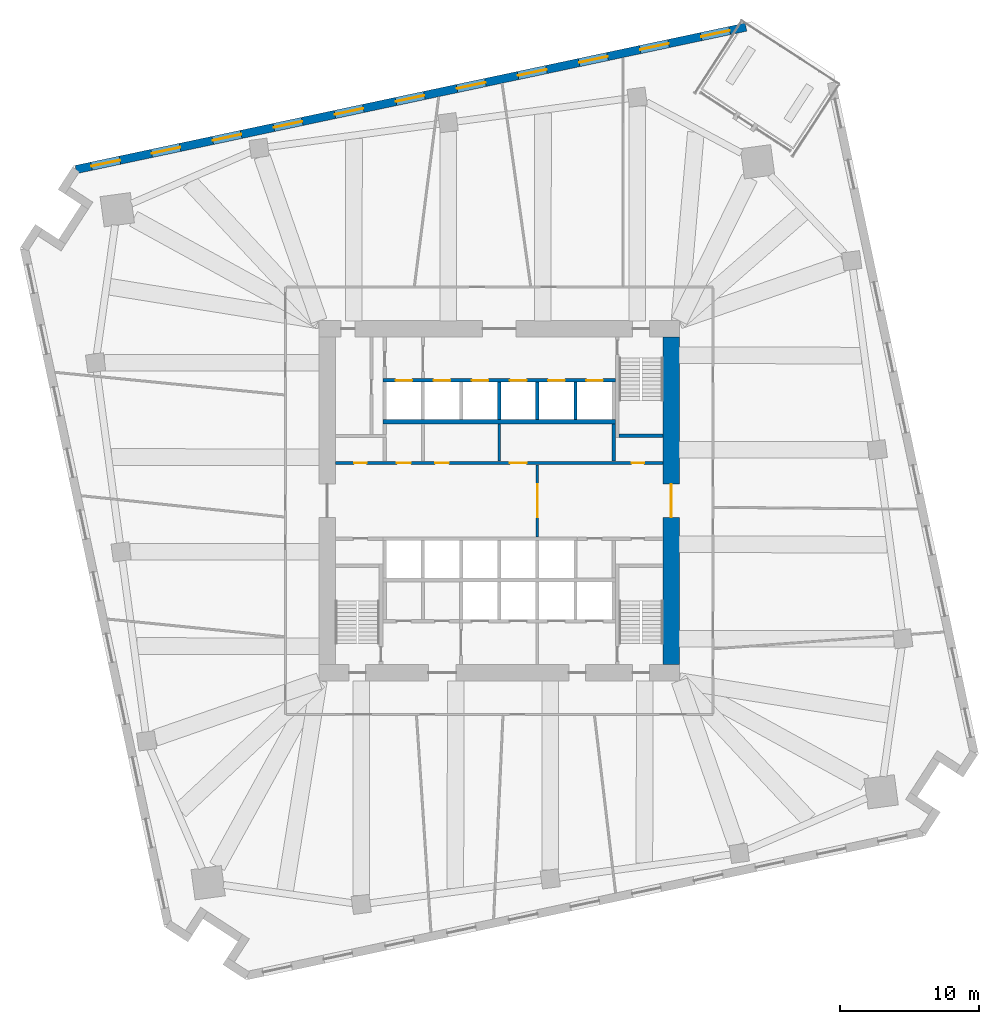
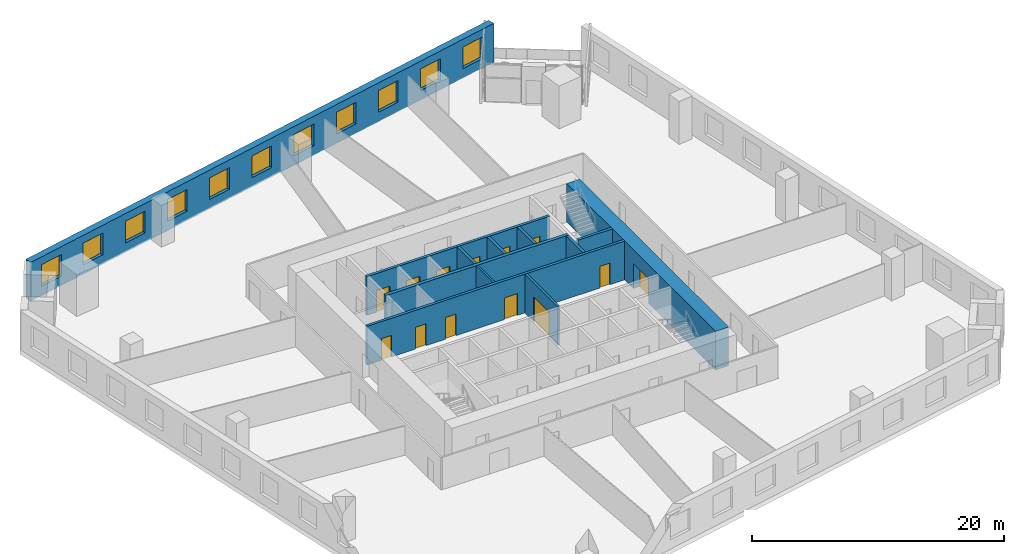
# One storey, part 6 of 10: 13 doors, 12 walls, 11 windows, 24 openings.
"""IFC4 building model written with IfcOpenShell, lengths in metres."""

import ifcopenshell
import ifcopenshell.guid

model = None  # the IFC model being written
_history = None  # IfcOwnerHistory: only IFC2X3 demands one
_inside = {}  # id of a spatial element -> (the spatial element, [elements in it])
_under = {}  # id of a project, library or spatial element -> (it, [spatial elements below it])
_declared = {}  # id of a project -> (the project, [libraries it declares])
_typed = {}  # id of a type object -> (the type object, [elements of that type])
_made_of = {}  # id of a material, layer set ... -> (it, [elements and type objects made of it])


def new_model(schema):
    """Start an empty IFC model of exactly this schema.

    Asked for "IFC4X3", IfcOpenShell would pick the latest addendum, in which some entities
    have other attributes; the version numbers below select the first issue.
    IFC2X3 requires an IfcOwnerHistory on every rooted entity: one is made here for all.
    """
    global model, _history
    if schema == "IFC4X3":
        model = ifcopenshell.file(schema_version=(4, 3, 0, 0))
    else:
        model = ifcopenshell.file(schema=schema)
    _inside.clear()
    _under.clear()
    _declared.clear()
    _typed.clear()
    _made_of.clear()
    _history = None
    if model.schema == "IFC2X3":
        org = make("IfcOrganization", Name="unknown")
        user = make(
            "IfcPersonAndOrganization",
            ThePerson=make("IfcPerson", FamilyName="unknown"),
            TheOrganization=org,
        )
        app = make(
            "IfcApplication",
            ApplicationDeveloper=org,
            Version="unknown",
            ApplicationFullName="unknown",
            ApplicationIdentifier="unknown",
        )
        _history = make(
            "IfcOwnerHistory",
            OwningUser=user,
            OwningApplication=app,
            ChangeAction="ADDED",
            CreationDate=0,
        )
    return model


def make(cls, **values):
    """One entity of the class cls with the attributes given. An attribute that is None is left unset."""
    return model.create_entity(
        cls, **{name: value for name, value in values.items() if value is not None}
    )


def rooted(cls, **values):
    """An entity with a GlobalId (a new one), such as an element, a storey or a relation."""
    return make(cls, GlobalId=ifcopenshell.guid.new(), OwnerHistory=_history, **values)


def si_unit(unit_type, name, prefix=None):
    """IfcSIUnit, for example si_unit("LENGTHUNIT", "METRE", prefix="MILLI")."""
    return make("IfcSIUnit", UnitType=unit_type, Prefix=prefix, Name=name)


def assignment(units):
    """IfcUnitAssignment: the units of a project."""
    return None if units is None else make("IfcUnitAssignment", Units=units)


def point(xyz):
    """IfcCartesianPoint."""
    return None if xyz is None else make("IfcCartesianPoint", Coordinates=xyz)


def direction(xyz):
    """IfcDirection."""
    return None if xyz is None else make("IfcDirection", DirectionRatios=xyz)


def frame(location, z_axis=None, x_axis=None):
    """IfcAxis2Placement3D, a coordinate frame: its origin and axes. An axis left out is left unset."""
    return make(
        "IfcAxis2Placement3D",
        Location=point(location),
        Axis=direction(z_axis),
        RefDirection=direction(x_axis),
    )


def frame_2d(location, x_axis=None):
    """IfcAxis2Placement2D, a coordinate frame in the plane: its origin and x axis."""
    return make(
        "IfcAxis2Placement2D", Location=point(location), RefDirection=direction(x_axis)
    )


def origin():
    """The frame at (0, 0, 0) with its axes left unset."""
    return frame((0.0, 0.0, 0.0))


def place(relative_to, where):
    """IfcLocalPlacement: puts the frame where relative to a parent placement (None: the world)."""
    return make(
        "IfcLocalPlacement", PlacementRelTo=relative_to, RelativePlacement=where
    )


def context(
    kind, dimensions, precision=None, world=None, true_north=None, identifier=None
):
    """IfcGeometricRepresentationContext, for example the 3D "Model" context."""
    return make(
        "IfcGeometricRepresentationContext",
        ContextIdentifier=identifier,
        ContextType=kind,
        CoordinateSpaceDimension=dimensions,
        Precision=precision,
        WorldCoordinateSystem=world,
        TrueNorth=true_north,
    )


def subcontext(parent, identifier, kind, view, scale=None):
    """IfcGeometricRepresentationSubContext, for example "Body" below "Model"."""
    return make(
        "IfcGeometricRepresentationSubContext",
        ContextIdentifier=identifier,
        ContextType=kind,
        ParentContext=parent,
        TargetScale=scale,
        TargetView=view,
    )


def project(units=None, contexts=None):
    """IfcProject with its units and contexts."""
    return rooted(
        "IfcProject",
        Name="project",
        RepresentationContexts=contexts,
        UnitsInContext=assignment(units),
    )


def spatial(cls, under=None, at=None, **own):
    """A site, building, storey or space (cls), placed at a placement, below another one or the project."""
    s = rooted(cls, ObjectPlacement=at, **own)
    if under is not None:
        _under.setdefault(under.id(), (under, []))[1].append(s)
    return s


def profile(cls, at=None, kind="AREA", **sizes):
    """A parametric profile (cls). Its sizes go by their IFC names, for example OverallWidth=200.0."""
    return make(cls, ProfileType=kind, Position=at, **sizes)


def rectangle(**sizes):
    """IfcRectangleProfileDef."""
    return profile("IfcRectangleProfileDef", **sizes)


def extrude(swept, where, along, depth):
    """IfcExtrudedAreaSolid: the profile swept, set in the frame where, extruded along a direction by depth."""
    return make(
        "IfcExtrudedAreaSolid",
        SweptArea=swept,
        Position=where,
        ExtrudedDirection=direction(along),
        Depth=depth,
    )


def shape(context_of_items, identifier, shape_type, items):
    """IfcShapeRepresentation: the items that make up one representation, for example the "Body"."""
    return make(
        "IfcShapeRepresentation",
        ContextOfItems=context_of_items,
        RepresentationIdentifier=identifier,
        RepresentationType=shape_type,
        Items=items,
    )


def material(Name=None, Category=None):
    """IfcMaterial."""
    return make("IfcMaterial", Name=Name, Category=Category)


def layer(
    of_material, thickness, ventilated=None, Name=None, Category=None, Priority=None
):
    """IfcMaterialLayer: one layer of a wall or slab, of a material (None: an air gap)."""
    return make(
        "IfcMaterialLayer",
        Material=of_material,
        LayerThickness=thickness,
        IsVentilated=ventilated,
        Name=Name,
        Category=Category,
        Priority=Priority,
    )


def layer_set(layers, Name=None):
    """IfcMaterialLayerSet."""
    return make("IfcMaterialLayerSet", MaterialLayers=layers, LayerSetName=Name)


def made_of(thing, what):
    """Note that an element or type object is made of a material, layer set ...; save() writes the relation."""
    if what is not None:
        _made_of.setdefault(what.id(), (what, []))[1].append(thing)
    return thing


def type_object(cls, material=None, **own):
    """A type object (cls), such as IfcWallType, which elements share."""
    return made_of(rooted(cls, **own), material)


def element(
    cls,
    number,
    at=None,
    inside=None,
    cuts=None,
    type_object=None,
    material=None,
    context=None,
    identifier="Body",
    shape_type=None,
    held_by="IfcProductDefinitionShape",
    body=None,
    shapes=None,
    **own,
):
    """One element of the class cls, such as IfcWall. Its Tag is "e" and its number.

    at: its placement. inside: the storey or other place that contains it. cuts: it is an
    opening in that element (IfcRelVoidsElement). A single representation is given by context,
    identifier, shape_type and body (its items); several are given by shapes. held_by: the class
    of the entity that holds the representations. save() writes the other relations.
    """
    e = rooted(cls, Tag="e%d" % number, ObjectPlacement=at, **own)
    if body is not None:
        shapes = [shape(context, identifier, shape_type, body)]
    if shapes is not None:
        e.Representation = make(held_by, Representations=shapes)
    if inside is not None:
        _inside.setdefault(inside.id(), (inside, []))[1].append(e)
    if cuts is not None:
        rooted(
            "IfcRelVoidsElement", RelatingBuildingElement=cuts, RelatedOpeningElement=e
        )
    if type_object is not None:
        _typed.setdefault(type_object.id(), (type_object, []))[1].append(e)
    return made_of(e, material)


def fill(opening, filler):
    """IfcRelFillsElement: the door or window that sits in an opening."""
    return rooted(
        "IfcRelFillsElement",
        RelatingOpeningElement=opening,
        RelatedBuildingElement=filler,
    )


def aggregate(whole, parts):
    """IfcRelAggregates: a whole, such as a stair, and the parts it consists of."""
    return rooted("IfcRelAggregates", RelatingObject=whole, RelatedObjects=parts)


def save(model, path):
    """Write the relations noted so far, then the file.

    IfcRelAggregates (storeys below a building ...), IfcRelContainedInSpatialStructure (elements
    in a storey), IfcRelDefinesByType, IfcRelAssociatesMaterial and IfcRelDeclares: one each for
    every whole, place, type object, material and project.
    """
    for whole, parts in _under.values():
        aggregate(whole, parts)
    for where, things in _inside.values():
        rooted(
            "IfcRelContainedInSpatialStructure",
            RelatedElements=things,
            RelatingStructure=where,
        )
    for kind, things in _typed.values():
        rooted("IfcRelDefinesByType", RelatedObjects=things, RelatingType=kind)
    for what, things in _made_of.values():
        rooted("IfcRelAssociatesMaterial", RelatedObjects=things, RelatingMaterial=what)
    for by, libraries in _declared.values():
        rooted("IfcRelDeclares", RelatingContext=by, RelatedDefinitions=libraries)
    model.write(path)


model = new_model("IFC4")

# Units and contexts
model_context = context("Model", 3, precision=1e-05, world=origin(), true_north=direction((0.0, 1.0)))
body_context = subcontext(model_context, "Body", "Model", "MODEL_VIEW")
ifc_project = project(units=[si_unit("LENGTHUNIT", "METRE"), si_unit("AREAUNIT", "SQUARE_METRE"), si_unit("VOLUMEUNIT", "CUBIC_METRE"), si_unit("PLANEANGLEUNIT", "RADIAN"), si_unit("MASSUNIT", "GRAM", prefix="KILO")], contexts=[model_context])

# Site, building, storey
site_placement = place(None, origin())
site = spatial("IfcSite", under=ifc_project, at=site_placement, CompositionType="ELEMENT")
building_placement = place(site_placement, origin())
building = spatial("IfcBuilding", under=site, at=building_placement, Name="Dilmun Exchange Tower", CompositionType="ELEMENT")
storey_placement = place(building_placement, frame((0.0, 0.0, 72.300048828125)))
storey = spatial("IfcBuildingStorey", under=building, at=storey_placement, Name="L16", CompositionType="ELEMENT", Elevation=72.300048828125)

# Wall, opening, door
ifc_material_1 = material(Name="Concrete C40/50", Category="concrete")
ifc_layer_1 = layer(ifc_material_1, 0.199951171875)
ifc_layer_set_1 = layer_set([ifc_layer_1], Name="Concrete C40/50")
wall_type_1 = type_object("IfcWallType", Name="Core partition wall 200", PredefinedType="PARTITIONING", material=ifc_layer_set_1)
wall_1_placement = place(storey_placement, frame((2.75, -2.594970703125, 0.0), z_axis=(0.0, 0.0, 1.0), x_axis=(0.0, 1.0, 0.0)))
wall_1 = element("IfcWall", 1, at=wall_1_placement, inside=storey, type_object=wall_type_1, Name="L16 core partition wall 09", PredefinedType="PARTITIONING", context=body_context, shape_type="SweptSolid", body=[
    extrude(rectangle(XDim=5.18994140625, YDim=0.199951171875, at=frame_2d((2.594970703125, 0.0))), origin(), (0.0, 0.0, 1.0), 3.75),
])
opening_1_placement = place(wall_1_placement, frame((1.39501953125, 0.0, 0.0)))
opening_1 = element("IfcOpeningElement", 2, at=opening_1_placement, cuts=wall_1, Name="Opening CD1", PredefinedType="OPENING", context=body_context, shape_type="SweptSolid", body=[
    extrude(rectangle(XDim=2.39990234375, YDim=2.39990234375, at=frame_2d((1.199951171875, 1.199951171875))), frame((0.0, 0.10986328125, 0.0), z_axis=(0.0, -1.0, 0.0), x_axis=(1.0, 0.0, 0.0)), (0.0, 0.0, 1.0), 0.219970703125),
])
ifc_material_2 = material(Name="Fire-rated steel door set", Category="steel")
door_type_1 = type_object("IfcDoorType", Name="Core lobby door 2400x2400", OperationType="DOUBLE_DOOR_DOUBLE_SWING", PredefinedType="DOOR", material=ifc_material_2)
door_1_placement = place(opening_1_placement, origin())
door_1 = element("IfcDoor", 3, at=door_1_placement, inside=storey, type_object=door_type_1, Name="L16 door Lift lobby east", OperationType="SINGLE_SWING_LEFT", OverallHeight=2.39990234375, OverallWidth=2.39990234375, PredefinedType="DOOR", context=body_context, shape_type="SweptSolid", body=[
    extrude(rectangle(XDim=2.39990234375, YDim=2.39990234375, at=frame_2d((1.199951171875, 1.199951171875))), frame((0.0, 0.02490234375, 0.0), z_axis=(0.0, -1.0, 0.0), x_axis=(1.0, 0.0, 0.0)), (0.0, 0.0, 1.0), 0.050048828125),
])
fill(opening_1, door_1)

# Wall
wall_2_placement = place(storey_placement, frame((0.0, 2.85498046875, 0.0), z_axis=(0.0, 0.0, 1.0), x_axis=(0.0, 1.0, 0.0)))
element("IfcWall", 4, at=wall_2_placement, inside=storey, type_object=wall_type_1, Name="L16 core partition wall 13", PredefinedType="PARTITIONING", context=body_context, shape_type="SweptSolid", body=[
    extrude(rectangle(XDim=2.68994140625, YDim=0.199951171875, at=frame_2d((1.344970703125, 0.0))), origin(), (0.0, 0.0, 1.0), 3.75),
])

# Wall, openings, doors
ifc_layer_2 = layer(ifc_material_1, 0.25)
ifc_layer_set_2 = layer_set([ifc_layer_2], Name="Concrete C40/50")
wall_type_2 = type_object("IfcWallType", Name="Core partition wall 250", PredefinedType="PARTITIONING", material=ifc_layer_set_2)
wall_3_placement = place(storey_placement, frame((-11.794921875, 2.72509765625, 0.0), z_axis=(0.0, 0.0, 1.0), x_axis=(1.0, 0.0, 0.0)))
wall_3 = element("IfcWall", 5, at=wall_3_placement, inside=storey, type_object=wall_type_2, Name="L16 core partition wall 10", PredefinedType="PARTITIONING", context=body_context, shape_type="SweptSolid", body=[
    extrude(rectangle(XDim=23.58984375, YDim=0.25, at=frame_2d((11.794921875, 0.0))), origin(), (0.0, 0.0, 1.0), 3.75),
])
opening_2_placement = place(wall_3_placement, frame((21.344970703125, 0.0, 0.0)))
opening_2 = element("IfcOpeningElement", 6, at=opening_2_placement, cuts=wall_3, Name="Opening CD6", PredefinedType="OPENING", context=body_context, shape_type="SweptSolid", body=[
    extrude(rectangle(XDim=0.89990234375, YDim=2.10009765625, at=frame_2d((0.449951171875, 1.050048828125))), frame((0.0, 0.135009765625, 0.0), z_axis=(0.0, -1.0, 0.0), x_axis=(1.0, 0.0, 0.0)), (0.0, 0.0, 1.0), 0.27001953125),
])
opening_3_placement = place(wall_3_placement, frame((1.344970703125, 0.0, 0.0)))
opening_3 = element("IfcOpeningElement", 7, at=opening_3_placement, cuts=wall_3, Name="Opening CD6", PredefinedType="OPENING", context=body_context, shape_type="SweptSolid", body=[
    extrude(rectangle(XDim=0.89990234375, YDim=2.10009765625, at=frame_2d((0.449951171875, 1.050048828125))), frame((0.0, 0.135009765625, 0.0), z_axis=(0.0, -1.0, 0.0), x_axis=(1.0, 0.0, 0.0)), (0.0, 0.0, 1.0), 0.27001953125),
])
opening_4_placement = place(wall_3_placement, frame((4.419921875, 0.0, 0.0)))
opening_4 = element("IfcOpeningElement", 8, at=opening_4_placement, cuts=wall_3, Name="Opening CD4", PredefinedType="OPENING", context=body_context, shape_type="SweptSolid", body=[
    extrude(rectangle(XDim=1.0, YDim=2.10009765625, at=frame_2d((0.5, 1.050048828125))), frame((0.0, 0.135009765625, 0.0), z_axis=(0.0, -1.0, 0.0), x_axis=(1.0, 0.0, 0.0)), (0.0, 0.0, 1.0), 0.27001953125),
])
opening_5_placement = place(wall_3_placement, frame((7.169921875, 0.0, 0.0)))
opening_5 = element("IfcOpeningElement", 9, at=opening_5_placement, cuts=wall_3, Name="Opening CD4", PredefinedType="OPENING", context=body_context, shape_type="SweptSolid", body=[
    extrude(rectangle(XDim=1.0, YDim=2.10009765625, at=frame_2d((0.5, 1.050048828125))), frame((0.0, 0.135009765625, 0.0), z_axis=(0.0, -1.0, 0.0), x_axis=(1.0, 0.0, 0.0)), (0.0, 0.0, 1.0), 0.27001953125),
])
opening_6_placement = place(wall_3_placement, frame((12.570068359375, 0.0, 0.0)))
opening_6 = element("IfcOpeningElement", 10, at=opening_6_placement, cuts=wall_3, Name="Opening CD3", PredefinedType="OPENING", context=body_context, shape_type="SweptSolid", body=[
    extrude(rectangle(XDim=1.199951171875, YDim=2.10009765625, at=frame_2d((0.60009765625, 1.050048828125))), frame((0.0, 0.135009765625, 0.0), z_axis=(0.0, -1.0, 0.0), x_axis=(1.0, 0.0, 0.0)), (0.0, 0.0, 1.0), 0.27001953125),
])
door_type_2 = type_object("IfcDoorType", Name="Core room door 1000x2100", OperationType="SINGLE_SWING_LEFT", PredefinedType="DOOR", material=ifc_material_2)
door_2_placement = place(opening_4_placement, origin())
door_2 = element("IfcDoor", 11, at=door_2_placement, inside=storey, type_object=door_type_2, Name="L16 door Security room", OperationType="SINGLE_SWING_LEFT", OverallHeight=2.10009765625, OverallWidth=1.0, PredefinedType="DOOR", context=body_context, shape_type="SweptSolid", body=[
    extrude(rectangle(XDim=1.0, YDim=2.10009765625, at=frame_2d((0.5, 1.050048828125))), frame((0.0, 0.02490234375, 0.0), z_axis=(0.0, -1.0, 0.0), x_axis=(1.0, 0.0, 0.0)), (0.0, 0.0, 1.0), 0.050048828125),
])
fill(opening_4, door_2)
door_3_placement = place(opening_5_placement, origin())
door_3 = element("IfcDoor", 12, at=door_3_placement, inside=storey, type_object=door_type_2, Name="L16 door Print and mail room", OperationType="SINGLE_SWING_LEFT", OverallHeight=2.10009765625, OverallWidth=1.0, PredefinedType="DOOR", context=body_context, shape_type="SweptSolid", body=[
    extrude(rectangle(XDim=1.0, YDim=2.10009765625, at=frame_2d((0.5, 1.050048828125))), frame((0.0, 0.02490234375, 0.0), z_axis=(0.0, -1.0, 0.0), x_axis=(1.0, 0.0, 0.0)), (0.0, 0.0, 1.0), 0.050048828125),
])
fill(opening_5, door_3)
door_type_3 = type_object("IfcDoorType", Name="Core room door 900x2100", OperationType="SINGLE_SWING_LEFT", PredefinedType="DOOR", material=ifc_material_2)
door_4_placement = place(opening_2_placement, origin())
door_4 = element("IfcDoor", 13, at=door_4_placement, inside=storey, type_object=door_type_3, Name="L16 door Electrical riser", OperationType="SINGLE_SWING_LEFT", OverallHeight=2.10009765625, OverallWidth=0.89990234375, PredefinedType="DOOR", context=body_context, shape_type="SweptSolid", body=[
    extrude(rectangle(XDim=0.89990234375, YDim=2.10009765625, at=frame_2d((0.449951171875, 1.050048828125))), frame((0.0, 0.02490234375, 0.0), z_axis=(0.0, -1.0, 0.0), x_axis=(1.0, 0.0, 0.0)), (0.0, 0.0, 1.0), 0.050048828125),
])
fill(opening_2, door_4)
door_5_placement = place(opening_3_placement, origin())
door_5 = element("IfcDoor", 14, at=door_5_placement, inside=storey, type_object=door_type_3, Name="L16 door Plumbing riser", OperationType="SINGLE_SWING_LEFT", OverallHeight=2.10009765625, OverallWidth=0.89990234375, PredefinedType="DOOR", context=body_context, shape_type="SweptSolid", body=[
    extrude(rectangle(XDim=0.89990234375, YDim=2.10009765625, at=frame_2d((0.449951171875, 1.050048828125))), frame((0.0, 0.02490234375, 0.0), z_axis=(0.0, -1.0, 0.0), x_axis=(1.0, 0.0, 0.0)), (0.0, 0.0, 1.0), 0.050048828125),
])
fill(opening_3, door_5)
door_type_4 = type_object("IfcDoorType", Name="Stair exit door 1200x2100", OperationType="SINGLE_SWING_LEFT", PredefinedType="DOOR", material=ifc_material_2)
door_6_placement = place(opening_6_placement, origin())
door_6 = element("IfcDoor", 15, at=door_6_placement, inside=storey, type_object=door_type_4, Name="L16 door Building management office", OperationType="SINGLE_SWING_LEFT", OverallHeight=2.10009765625, OverallWidth=1.199951171875, PredefinedType="DOOR", context=body_context, shape_type="SweptSolid", body=[
    extrude(rectangle(XDim=1.199951171875, YDim=2.10009765625, at=frame_2d((0.60009765625, 1.050048828125))), frame((0.0, 0.02490234375, 0.0), z_axis=(0.0, -1.0, 0.0), x_axis=(1.0, 0.0, 0.0)), (0.0, 0.0, 1.0), 0.050048828125),
])
fill(opening_6, door_6)

# Wall
wall_4_placement = place(storey_placement, frame((8.25, 2.85498046875, 0.0), z_axis=(0.0, 0.0, 1.0), x_axis=(0.0, 1.0, 0.0)))
element("IfcWall", 16, at=wall_4_placement, inside=storey, type_object=wall_type_2, Name="L16 core partition wall 14", PredefinedType="PARTITIONING", context=body_context, shape_type="SweptSolid", body=[
    extrude(rectangle(XDim=2.68994140625, YDim=0.25, at=frame_2d((1.344970703125, 0.0))), origin(), (0.0, 0.0, 1.0), 3.75),
])

# Wall, opening, door
ifc_material_3 = material(Name="Concrete C80/95", Category="concrete")
ifc_layer_3 = layer(ifc_material_3, 1.199951171875)
ifc_layer_set_3 = layer_set([ifc_layer_3], Name="Concrete C80/95")
wall_type_3 = type_object("IfcWallType", Name="Core shear wall 1200 Concrete C80/95", PredefinedType="SHEAR", material=ifc_layer_set_3)
wall_5_placement = place(storey_placement, frame((12.39990234375, -11.800048828125, 0.0), z_axis=(0.0, 0.0, 1.0), x_axis=(0.0, 1.0, 0.0)))
wall_5 = element("IfcWall", 17, at=wall_5_placement, inside=storey, type_object=wall_type_3, Name="L16 core shear wall E", PredefinedType="SHEAR", context=body_context, shape_type="SweptSolid", body=[
    extrude(rectangle(XDim=23.60009765625, YDim=1.199951171875, at=frame_2d((11.800048828125, 0.0))), origin(), (0.0, 0.0, 1.0), 3.75),
])
opening_7_placement = place(wall_5_placement, frame((10.60009765625, 0.0, 0.0)))
opening_7 = element("IfcOpeningElement", 18, at=opening_7_placement, cuts=wall_5, Name="Opening CD1", PredefinedType="OPENING", context=body_context, shape_type="SweptSolid", body=[
    extrude(rectangle(XDim=2.39990234375, YDim=2.39990234375, at=frame_2d((1.199951171875, 1.199951171875))), frame((0.0, 0.60986328125, 0.0), z_axis=(0.0, -1.0, 0.0), x_axis=(1.0, 0.0, 0.0)), (0.0, 0.0, 1.0), 1.219970703125),
])
door_7_placement = place(opening_7_placement, origin())
door_7 = element("IfcDoor", 19, at=door_7_placement, inside=storey, type_object=door_type_1, Name="L16 door Central lift lobby", OperationType="SINGLE_SWING_LEFT", OverallHeight=2.39990234375, OverallWidth=2.39990234375, PredefinedType="DOOR", context=body_context, shape_type="SweptSolid", body=[
    extrude(rectangle(XDim=2.39990234375, YDim=2.39990234375, at=frame_2d((1.199951171875, 1.199951171875))), frame((0.0, 0.02490234375, 0.0), z_axis=(0.0, -1.0, 0.0), x_axis=(1.0, 0.0, 0.0)), (0.0, 0.0, 1.0), 0.050048828125),
])
fill(opening_7, door_7)

# Wall
ifc_layer_4 = layer(ifc_material_1, 0.300048828125)
ifc_layer_set_4 = layer_set([ifc_layer_4], Name="Concrete C40/50")
wall_type_4 = type_object("IfcWallType", Name="Lift shaft shared wall 300", PredefinedType="SOLIDWALL", material=ifc_layer_set_4)
wall_6_placement = place(storey_placement, frame((-8.375, 5.699951171875, 0.0), z_axis=(0.0, 0.0, 1.0), x_axis=(1.0, 0.0, 0.0)))
element("IfcWall", 20, at=wall_6_placement, inside=storey, type_object=wall_type_4, Name="L16 lift shaft rear wall N", PredefinedType="SOLIDWALL", context=body_context, shape_type="SweptSolid", body=[
    extrude(rectangle(XDim=16.75, YDim=0.300048828125, at=frame_2d((8.375, 0.0))), origin(), (0.0, 0.0, 1.0), 3.75),
])

# Wall, openings, doors
ifc_layer_5 = layer(ifc_material_1, 0.25)
ifc_layer_set_5 = layer_set([ifc_layer_5], Name="Concrete C40/50")
wall_type_5 = type_object("IfcWallType", Name="Lift shaft wall 250", PredefinedType="SOLIDWALL", material=ifc_layer_set_5)
wall_7_placement = place(storey_placement, frame((-8.375, 8.675048828125, 0.0), z_axis=(0.0, 0.0, 1.0), x_axis=(1.0, 0.0, 0.0)))
wall_7 = element("IfcWall", 21, at=wall_7_placement, inside=storey, type_object=wall_type_5, Name="L16 lift shaft front wall N2", PredefinedType="SOLIDWALL", context=body_context, shape_type="SweptSolid", body=[
    extrude(rectangle(XDim=16.75, YDim=0.25, at=frame_2d((8.375, 0.0))), origin(), (0.0, 0.0, 1.0), 3.75),
])
opening_8_placement = place(wall_7_placement, frame((0.89990234375, 0.0, 0.0)))
opening_8 = element("IfcOpeningElement", 22, at=opening_8_placement, cuts=wall_7, Name="Opening LD", PredefinedType="OPENING", context=body_context, shape_type="SweptSolid", body=[
    extrude(rectangle(XDim=1.199951171875, YDim=2.10009765625, at=frame_2d((0.60009765625, 1.050048828125))), frame((0.0, 0.135009765625, 0.0), z_axis=(0.0, -1.0, 0.0), x_axis=(1.0, 0.0, 0.0)), (0.0, 0.0, 1.0), 0.27001953125),
])
opening_9_placement = place(wall_7_placement, frame((3.64990234375, 0.0, 0.0)))
opening_9 = element("IfcOpeningElement", 23, at=opening_9_placement, cuts=wall_7, Name="Opening LD", PredefinedType="OPENING", context=body_context, shape_type="SweptSolid", body=[
    extrude(rectangle(XDim=1.199951171875, YDim=2.10009765625, at=frame_2d((0.60009765625, 1.050048828125))), frame((0.0, 0.135009765625, 0.0), z_axis=(0.0, -1.0, 0.0), x_axis=(1.0, 0.0, 0.0)), (0.0, 0.0, 1.0), 0.27001953125),
])
opening_10_placement = place(wall_7_placement, frame((6.39990234375, 0.0, 0.0)))
opening_10 = element("IfcOpeningElement", 24, at=opening_10_placement, cuts=wall_7, Name="Opening LD", PredefinedType="OPENING", context=body_context, shape_type="SweptSolid", body=[
    extrude(rectangle(XDim=1.199951171875, YDim=2.10009765625, at=frame_2d((0.60009765625, 1.050048828125))), frame((0.0, 0.135009765625, 0.0), z_axis=(0.0, -1.0, 0.0), x_axis=(1.0, 0.0, 0.0)), (0.0, 0.0, 1.0), 0.27001953125),
])
opening_11_placement = place(wall_7_placement, frame((9.14990234375, 0.0, 0.0)))
opening_11 = element("IfcOpeningElement", 25, at=opening_11_placement, cuts=wall_7, Name="Opening LD", PredefinedType="OPENING", context=body_context, shape_type="SweptSolid", body=[
    extrude(rectangle(XDim=1.199951171875, YDim=2.10009765625, at=frame_2d((0.60009765625, 1.050048828125))), frame((0.0, 0.135009765625, 0.0), z_axis=(0.0, -1.0, 0.0), x_axis=(1.0, 0.0, 0.0)), (0.0, 0.0, 1.0), 0.27001953125),
])
opening_12_placement = place(wall_7_placement, frame((11.89990234375, 0.0, 0.0)))
opening_12 = element("IfcOpeningElement", 26, at=opening_12_placement, cuts=wall_7, Name="Opening LD", PredefinedType="OPENING", context=body_context, shape_type="SweptSolid", body=[
    extrude(rectangle(XDim=1.199951171875, YDim=2.10009765625, at=frame_2d((0.60009765625, 1.050048828125))), frame((0.0, 0.135009765625, 0.0), z_axis=(0.0, -1.0, 0.0), x_axis=(1.0, 0.0, 0.0)), (0.0, 0.0, 1.0), 0.27001953125),
])
opening_13_placement = place(wall_7_placement, frame((14.64990234375, 0.0, 0.0)))
opening_13 = element("IfcOpeningElement", 27, at=opening_13_placement, cuts=wall_7, Name="Opening LD", PredefinedType="OPENING", context=body_context, shape_type="SweptSolid", body=[
    extrude(rectangle(XDim=1.199951171875, YDim=2.10009765625, at=frame_2d((0.60009765625, 1.050048828125))), frame((0.0, 0.135009765625, 0.0), z_axis=(0.0, -1.0, 0.0), x_axis=(1.0, 0.0, 0.0)), (0.0, 0.0, 1.0), 0.27001953125),
])
door_type_5 = type_object("IfcDoorType", Name="Lift landing door 1200x2100", OperationType="DOUBLE_DOOR_SLIDING", PredefinedType="DOOR", material=ifc_material_2)
door_8_placement = place(opening_8_placement, origin())
door_8 = element("IfcDoor", 28, at=door_8_placement, inside=storey, type_object=door_type_5, Name="L16 landing door LR1", OperationType="DOUBLE_DOOR_SLIDING", OverallHeight=2.10009765625, OverallWidth=1.199951171875, PredefinedType="DOOR", context=body_context, shape_type="SweptSolid", body=[
    extrude(rectangle(XDim=1.199951171875, YDim=2.10009765625, at=frame_2d((0.60009765625, 1.050048828125))), frame((0.0, 0.02490234375, 0.0), z_axis=(0.0, -1.0, 0.0), x_axis=(1.0, 0.0, 0.0)), (0.0, 0.0, 1.0), 0.050048828125),
])
fill(opening_8, door_8)
door_9_placement = place(opening_9_placement, origin())
door_9 = element("IfcDoor", 29, at=door_9_placement, inside=storey, type_object=door_type_5, Name="L16 landing door LR2", OperationType="DOUBLE_DOOR_SLIDING", OverallHeight=2.10009765625, OverallWidth=1.199951171875, PredefinedType="DOOR", context=body_context, shape_type="SweptSolid", body=[
    extrude(rectangle(XDim=1.199951171875, YDim=2.10009765625, at=frame_2d((0.60009765625, 1.050048828125))), frame((0.0, 0.02490234375, 0.0), z_axis=(0.0, -1.0, 0.0), x_axis=(1.0, 0.0, 0.0)), (0.0, 0.0, 1.0), 0.050048828125),
])
fill(opening_9, door_9)
door_10_placement = place(opening_10_placement, origin())
door_10 = element("IfcDoor", 30, at=door_10_placement, inside=storey, type_object=door_type_5, Name="L16 landing door LR3", OperationType="DOUBLE_DOOR_SLIDING", OverallHeight=2.10009765625, OverallWidth=1.199951171875, PredefinedType="DOOR", context=body_context, shape_type="SweptSolid", body=[
    extrude(rectangle(XDim=1.199951171875, YDim=2.10009765625, at=frame_2d((0.60009765625, 1.050048828125))), frame((0.0, 0.02490234375, 0.0), z_axis=(0.0, -1.0, 0.0), x_axis=(1.0, 0.0, 0.0)), (0.0, 0.0, 1.0), 0.050048828125),
])
fill(opening_10, door_10)
door_11_placement = place(opening_11_placement, origin())
door_11 = element("IfcDoor", 31, at=door_11_placement, inside=storey, type_object=door_type_5, Name="L16 landing door LR4", OperationType="DOUBLE_DOOR_SLIDING", OverallHeight=2.10009765625, OverallWidth=1.199951171875, PredefinedType="DOOR", context=body_context, shape_type="SweptSolid", body=[
    extrude(rectangle(XDim=1.199951171875, YDim=2.10009765625, at=frame_2d((0.60009765625, 1.050048828125))), frame((0.0, 0.02490234375, 0.0), z_axis=(0.0, -1.0, 0.0), x_axis=(1.0, 0.0, 0.0)), (0.0, 0.0, 1.0), 0.050048828125),
])
fill(opening_11, door_11)
door_12_placement = place(opening_12_placement, origin())
door_12 = element("IfcDoor", 32, at=door_12_placement, inside=storey, type_object=door_type_5, Name="L16 landing door LR5", OperationType="DOUBLE_DOOR_SLIDING", OverallHeight=2.10009765625, OverallWidth=1.199951171875, PredefinedType="DOOR", context=body_context, shape_type="SweptSolid", body=[
    extrude(rectangle(XDim=1.199951171875, YDim=2.10009765625, at=frame_2d((0.60009765625, 1.050048828125))), frame((0.0, 0.02490234375, 0.0), z_axis=(0.0, -1.0, 0.0), x_axis=(1.0, 0.0, 0.0)), (0.0, 0.0, 1.0), 0.050048828125),
])
fill(opening_12, door_12)
door_13_placement = place(opening_13_placement, origin())
door_13 = element("IfcDoor", 33, at=door_13_placement, inside=storey, type_object=door_type_5, Name="L16 landing door LR6", OperationType="DOUBLE_DOOR_SLIDING", OverallHeight=2.10009765625, OverallWidth=1.199951171875, PredefinedType="DOOR", context=body_context, shape_type="SweptSolid", body=[
    extrude(rectangle(XDim=1.199951171875, YDim=2.10009765625, at=frame_2d((0.60009765625, 1.050048828125))), frame((0.0, 0.02490234375, 0.0), z_axis=(0.0, -1.0, 0.0), x_axis=(1.0, 0.0, 0.0)), (0.0, 0.0, 1.0), 0.050048828125),
])
fill(opening_13, door_13)

# Walls
for number, where, z_axis, x_axis, name in (
    (34, (0.0, 5.85009765625, 0.0), (0.0, 0.0, 1.0), (0.0, 1.0, 0.0), "L16 lift shaft divider N23"),
    (35, (2.75, 5.85009765625, 0.0), (0.0, 0.0, 1.0), (0.0, 1.0, 0.0), "L16 lift shaft divider N24"),
    (36, (5.5, 5.85009765625, 0.0), (0.0, 0.0, 1.0), (0.0, 1.0, 0.0), "L16 lift shaft divider N25"),
):
    element("IfcWall", number, at=place(storey_placement, frame(where, z_axis=z_axis, x_axis=x_axis)), inside=storey, type_object=wall_type_5, Name=name, PredefinedType="SOLIDWALL", context=body_context, shape_type="SweptSolid", body=[
        extrude(rectangle(XDim=2.699951171875, YDim=0.25, at=frame_2d((1.35009765625, 0.0))), origin(), (0.0, 0.0, 1.0), 3.75),
    ])

# Wall, openings, windows
ifc_material_4 = material(Name="Precast concrete C50/60", Category="concrete")
ifc_layer_6 = layer(ifc_material_4, 0.60009765625)
ifc_layer_set_6 = layer_set([ifc_layer_6], Name="Precast concrete C50/60")
wall_type_6 = type_object("IfcWallType", Name="Precast stone-clad wall 600", PredefinedType="STANDARD", material=ifc_layer_set_6)
wall_8_placement = place(storey_placement, frame((17.78955078125, 34.144775390625, 0.0), z_axis=(0.0, 0.0, 1.0), x_axis=(-0.978147175075, -0.207913693376, 0.0)))
wall_8 = element("IfcWall", 37, at=wall_8_placement, inside=storey, type_object=wall_type_6, Name="Facade wall L16-03", PredefinedType="STANDARD", context=body_context, shape_type="SweptSolid", body=[
    extrude(rectangle(XDim=49.375732421875, YDim=0.60009765625, at=frame_2d((24.68798828125, 0.0))), origin(), (0.0, 0.0, 1.0), 3.75),
])
opening_14_placement = place(wall_8_placement, frame((1.199951171875, 0.0, 0.89990234375)))
opening_14 = element("IfcOpeningElement", 38, at=opening_14_placement, cuts=wall_8, Name="Opening W210-210", PredefinedType="OPENING", context=body_context, shape_type="SweptSolid", body=[
    extrude(rectangle(XDim=2.10009765625, YDim=2.10009765625, at=frame_2d((1.050048828125, 1.050048828125))), frame((0.0, 0.31005859375, 0.0), z_axis=(0.0, -1.0, 0.0), x_axis=(1.0, 0.0, 0.0)), (0.0, 0.0, 1.0), 0.6201171875),
])
opening_15_placement = place(wall_8_placement, frame((5.699951171875, 0.0, 0.89990234375)))
opening_15 = element("IfcOpeningElement", 39, at=opening_15_placement, cuts=wall_8, Name="Opening W210-210", PredefinedType="OPENING", context=body_context, shape_type="SweptSolid", body=[
    extrude(rectangle(XDim=2.10009765625, YDim=2.10009765625, at=frame_2d((1.050048828125, 1.050048828125))), frame((0.0, 0.31005859375, 0.0), z_axis=(0.0, -1.0, 0.0), x_axis=(1.0, 0.0, 0.0)), (0.0, 0.0, 1.0), 0.6201171875),
])
opening_16_placement = place(wall_8_placement, frame((10.199951171875, 0.0, 0.89990234375)))
opening_16 = element("IfcOpeningElement", 40, at=opening_16_placement, cuts=wall_8, Name="Opening W210-210", PredefinedType="OPENING", context=body_context, shape_type="SweptSolid", body=[
    extrude(rectangle(XDim=2.10009765625, YDim=2.10009765625, at=frame_2d((1.050048828125, 1.050048828125))), frame((0.0, 0.31005859375, 0.0), z_axis=(0.0, -1.0, 0.0), x_axis=(1.0, 0.0, 0.0)), (0.0, 0.0, 1.0), 0.6201171875),
])
opening_17_placement = place(wall_8_placement, frame((14.699951171875, 0.0, 0.89990234375)))
opening_17 = element("IfcOpeningElement", 41, at=opening_17_placement, cuts=wall_8, Name="Opening W210-210", PredefinedType="OPENING", context=body_context, shape_type="SweptSolid", body=[
    extrude(rectangle(XDim=2.10009765625, YDim=2.10009765625, at=frame_2d((1.050048828125, 1.050048828125))), frame((0.0, 0.31005859375, 0.0), z_axis=(0.0, -1.0, 0.0), x_axis=(1.0, 0.0, 0.0)), (0.0, 0.0, 1.0), 0.6201171875),
])
opening_18_placement = place(wall_8_placement, frame((19.199951171875, 0.0, 0.89990234375)))
opening_18 = element("IfcOpeningElement", 42, at=opening_18_placement, cuts=wall_8, Name="Opening W210-210", PredefinedType="OPENING", context=body_context, shape_type="SweptSolid", body=[
    extrude(rectangle(XDim=2.10009765625, YDim=2.10009765625, at=frame_2d((1.050048828125, 1.050048828125))), frame((0.0, 0.31005859375, 0.0), z_axis=(0.0, -1.0, 0.0), x_axis=(1.0, 0.0, 0.0)), (0.0, 0.0, 1.0), 0.6201171875),
])
opening_19_placement = place(wall_8_placement, frame((23.699951171875, 0.0, 0.89990234375)))
opening_19 = element("IfcOpeningElement", 43, at=opening_19_placement, cuts=wall_8, Name="Opening W210-210", PredefinedType="OPENING", context=body_context, shape_type="SweptSolid", body=[
    extrude(rectangle(XDim=2.10009765625, YDim=2.10009765625, at=frame_2d((1.050048828125, 1.050048828125))), frame((0.0, 0.31005859375, 0.0), z_axis=(0.0, -1.0, 0.0), x_axis=(1.0, 0.0, 0.0)), (0.0, 0.0, 1.0), 0.6201171875),
])
opening_20_placement = place(wall_8_placement, frame((28.199951171875, 0.0, 0.89990234375)))
opening_20 = element("IfcOpeningElement", 44, at=opening_20_placement, cuts=wall_8, Name="Opening W210-210", PredefinedType="OPENING", context=body_context, shape_type="SweptSolid", body=[
    extrude(rectangle(XDim=2.10009765625, YDim=2.10009765625, at=frame_2d((1.050048828125, 1.050048828125))), frame((0.0, 0.31005859375, 0.0), z_axis=(0.0, -1.0, 0.0), x_axis=(1.0, 0.0, 0.0)), (0.0, 0.0, 1.0), 0.6201171875),
])
opening_21_placement = place(wall_8_placement, frame((32.699951171875, 0.0, 0.89990234375)))
opening_21 = element("IfcOpeningElement", 45, at=opening_21_placement, cuts=wall_8, Name="Opening W210-210", PredefinedType="OPENING", context=body_context, shape_type="SweptSolid", body=[
    extrude(rectangle(XDim=2.10009765625, YDim=2.10009765625, at=frame_2d((1.050048828125, 1.050048828125))), frame((0.0, 0.31005859375, 0.0), z_axis=(0.0, -1.0, 0.0), x_axis=(1.0, 0.0, 0.0)), (0.0, 0.0, 1.0), 0.6201171875),
])
opening_22_placement = place(wall_8_placement, frame((37.199951171875, 0.0, 0.89990234375)))
opening_22 = element("IfcOpeningElement", 46, at=opening_22_placement, cuts=wall_8, Name="Opening W210-210", PredefinedType="OPENING", context=body_context, shape_type="SweptSolid", body=[
    extrude(rectangle(XDim=2.10009765625, YDim=2.10009765625, at=frame_2d((1.050048828125, 1.050048828125))), frame((0.0, 0.31005859375, 0.0), z_axis=(0.0, -1.0, 0.0), x_axis=(1.0, 0.0, 0.0)), (0.0, 0.0, 1.0), 0.6201171875),
])
opening_23_placement = place(wall_8_placement, frame((41.699951171875, 0.0, 0.89990234375)))
opening_23 = element("IfcOpeningElement", 47, at=opening_23_placement, cuts=wall_8, Name="Opening W210-210", PredefinedType="OPENING", context=body_context, shape_type="SweptSolid", body=[
    extrude(rectangle(XDim=2.10009765625, YDim=2.10009765625, at=frame_2d((1.050048828125, 1.050048828125))), frame((0.0, 0.31005859375, 0.0), z_axis=(0.0, -1.0, 0.0), x_axis=(1.0, 0.0, 0.0)), (0.0, 0.0, 1.0), 0.6201171875),
])
opening_24_placement = place(wall_8_placement, frame((46.137939453125, 0.0, 0.89990234375)))
opening_24 = element("IfcOpeningElement", 48, at=opening_24_placement, cuts=wall_8, Name="Opening W210-210", PredefinedType="OPENING", context=body_context, shape_type="SweptSolid", body=[
    extrude(rectangle(XDim=2.10009765625, YDim=2.10009765625, at=frame_2d((1.050048828125, 1.050048828125))), frame((0.0, 0.31005859375, 0.0), z_axis=(0.0, -1.0, 0.0), x_axis=(1.0, 0.0, 0.0)), (0.0, 0.0, 1.0), 0.6201171875),
])
ifc_material_5 = material(Name="Clear low-emissivity glass in aluminium frame", Category="aluminium")
window_type = type_object("IfcWindowType", Name="Punched window 2100 x 2100", PartitioningType="DOUBLE_PANEL_VERTICAL", PredefinedType="WINDOW", material=ifc_material_5)
window_1_placement = place(opening_14_placement, origin())
window_1 = element("IfcWindow", 49, at=window_1_placement, inside=storey, type_object=window_type, Name="Window 4.1", OverallHeight=2.10009765625, OverallWidth=2.10009765625, PartitioningType="SINGLE_PANEL", PredefinedType="WINDOW", context=body_context, shape_type="SweptSolid", body=[
    extrude(rectangle(XDim=2.10009765625, YDim=2.10009765625, at=frame_2d((1.050048828125, 1.050048828125))), frame((0.0, 0.030029296875, 0.0), z_axis=(0.0, -1.0, 0.0), x_axis=(1.0, 0.0, 0.0)), (0.0, 0.0, 1.0), 0.06005859375),
])
fill(opening_14, window_1)
window_2_placement = place(opening_15_placement, origin())
window_2 = element("IfcWindow", 50, at=window_2_placement, inside=storey, type_object=window_type, Name="Window 4.2", OverallHeight=2.10009765625, OverallWidth=2.10009765625, PartitioningType="SINGLE_PANEL", PredefinedType="WINDOW", context=body_context, shape_type="SweptSolid", body=[
    extrude(rectangle(XDim=2.10009765625, YDim=2.10009765625, at=frame_2d((1.050048828125, 1.050048828125))), frame((0.0, 0.030029296875, 0.0), z_axis=(0.0, -1.0, 0.0), x_axis=(1.0, 0.0, 0.0)), (0.0, 0.0, 1.0), 0.06005859375),
])
fill(opening_15, window_2)
window_3_placement = place(opening_16_placement, origin())
window_3 = element("IfcWindow", 51, at=window_3_placement, inside=storey, type_object=window_type, Name="Window 4.3", OverallHeight=2.10009765625, OverallWidth=2.10009765625, PartitioningType="SINGLE_PANEL", PredefinedType="WINDOW", context=body_context, shape_type="SweptSolid", body=[
    extrude(rectangle(XDim=2.10009765625, YDim=2.10009765625, at=frame_2d((1.050048828125, 1.050048828125))), frame((0.0, 0.030029296875, 0.0), z_axis=(0.0, -1.0, 0.0), x_axis=(1.0, 0.0, 0.0)), (0.0, 0.0, 1.0), 0.06005859375),
])
fill(opening_16, window_3)
window_4_placement = place(opening_17_placement, origin())
window_4 = element("IfcWindow", 52, at=window_4_placement, inside=storey, type_object=window_type, Name="Window 4.4", OverallHeight=2.10009765625, OverallWidth=2.10009765625, PartitioningType="SINGLE_PANEL", PredefinedType="WINDOW", context=body_context, shape_type="SweptSolid", body=[
    extrude(rectangle(XDim=2.10009765625, YDim=2.10009765625, at=frame_2d((1.050048828125, 1.050048828125))), frame((0.0, 0.030029296875, 0.0), z_axis=(0.0, -1.0, 0.0), x_axis=(1.0, 0.0, 0.0)), (0.0, 0.0, 1.0), 0.06005859375),
])
fill(opening_17, window_4)
window_5_placement = place(opening_18_placement, origin())
window_5 = element("IfcWindow", 53, at=window_5_placement, inside=storey, type_object=window_type, Name="Window 4.5", OverallHeight=2.10009765625, OverallWidth=2.10009765625, PartitioningType="SINGLE_PANEL", PredefinedType="WINDOW", context=body_context, shape_type="SweptSolid", body=[
    extrude(rectangle(XDim=2.10009765625, YDim=2.10009765625, at=frame_2d((1.050048828125, 1.050048828125))), frame((0.0, 0.030029296875, 0.0), z_axis=(0.0, -1.0, 0.0), x_axis=(1.0, 0.0, 0.0)), (0.0, 0.0, 1.0), 0.06005859375),
])
fill(opening_18, window_5)
window_6_placement = place(opening_19_placement, origin())
window_6 = element("IfcWindow", 54, at=window_6_placement, inside=storey, type_object=window_type, Name="Window 4.6", OverallHeight=2.10009765625, OverallWidth=2.10009765625, PartitioningType="SINGLE_PANEL", PredefinedType="WINDOW", context=body_context, shape_type="SweptSolid", body=[
    extrude(rectangle(XDim=2.10009765625, YDim=2.10009765625, at=frame_2d((1.050048828125, 1.050048828125))), frame((0.0, 0.030029296875, 0.0), z_axis=(0.0, -1.0, 0.0), x_axis=(1.0, 0.0, 0.0)), (0.0, 0.0, 1.0), 0.06005859375),
])
fill(opening_19, window_6)
window_7_placement = place(opening_20_placement, origin())
window_7 = element("IfcWindow", 55, at=window_7_placement, inside=storey, type_object=window_type, Name="Window 4.7", OverallHeight=2.10009765625, OverallWidth=2.10009765625, PartitioningType="SINGLE_PANEL", PredefinedType="WINDOW", context=body_context, shape_type="SweptSolid", body=[
    extrude(rectangle(XDim=2.10009765625, YDim=2.10009765625, at=frame_2d((1.050048828125, 1.050048828125))), frame((0.0, 0.030029296875, 0.0), z_axis=(0.0, -1.0, 0.0), x_axis=(1.0, 0.0, 0.0)), (0.0, 0.0, 1.0), 0.06005859375),
])
fill(opening_20, window_7)
window_8_placement = place(opening_21_placement, origin())
window_8 = element("IfcWindow", 56, at=window_8_placement, inside=storey, type_object=window_type, Name="Window 4.8", OverallHeight=2.10009765625, OverallWidth=2.10009765625, PartitioningType="SINGLE_PANEL", PredefinedType="WINDOW", context=body_context, shape_type="SweptSolid", body=[
    extrude(rectangle(XDim=2.10009765625, YDim=2.10009765625, at=frame_2d((1.050048828125, 1.050048828125))), frame((0.0, 0.030029296875, 0.0), z_axis=(0.0, -1.0, 0.0), x_axis=(1.0, 0.0, 0.0)), (0.0, 0.0, 1.0), 0.06005859375),
])
fill(opening_21, window_8)
window_9_placement = place(opening_22_placement, origin())
window_9 = element("IfcWindow", 57, at=window_9_placement, inside=storey, type_object=window_type, Name="Window 4.9", OverallHeight=2.10009765625, OverallWidth=2.10009765625, PartitioningType="SINGLE_PANEL", PredefinedType="WINDOW", context=body_context, shape_type="SweptSolid", body=[
    extrude(rectangle(XDim=2.10009765625, YDim=2.10009765625, at=frame_2d((1.050048828125, 1.050048828125))), frame((0.0, 0.030029296875, 0.0), z_axis=(0.0, -1.0, 0.0), x_axis=(1.0, 0.0, 0.0)), (0.0, 0.0, 1.0), 0.06005859375),
])
fill(opening_22, window_9)
window_10_placement = place(opening_23_placement, origin())
window_10 = element("IfcWindow", 58, at=window_10_placement, inside=storey, type_object=window_type, Name="Window 4.10", OverallHeight=2.10009765625, OverallWidth=2.10009765625, PartitioningType="SINGLE_PANEL", PredefinedType="WINDOW", context=body_context, shape_type="SweptSolid", body=[
    extrude(rectangle(XDim=2.10009765625, YDim=2.10009765625, at=frame_2d((1.050048828125, 1.050048828125))), frame((0.0, 0.030029296875, 0.0), z_axis=(0.0, -1.0, 0.0), x_axis=(1.0, 0.0, 0.0)), (0.0, 0.0, 1.0), 0.06005859375),
])
fill(opening_23, window_10)
window_11_placement = place(opening_24_placement, origin())
window_11 = element("IfcWindow", 59, at=window_11_placement, inside=storey, type_object=window_type, Name="Window 4.11", OverallHeight=2.10009765625, OverallWidth=2.10009765625, PartitioningType="SINGLE_PANEL", PredefinedType="WINDOW", context=body_context, shape_type="SweptSolid", body=[
    extrude(rectangle(XDim=2.10009765625, YDim=2.10009765625, at=frame_2d((1.050048828125, 1.050048828125))), frame((0.0, 0.030029296875, 0.0), z_axis=(0.0, -1.0, 0.0), x_axis=(1.0, 0.0, 0.0)), (0.0, 0.0, 1.0), 0.06005859375),
])
fill(opening_24, window_11)

# Wall
ifc_layer_7 = layer(ifc_material_1, 0.25)
ifc_layer_set_7 = layer_set([ifc_layer_7], Name="Concrete C40/50")
wall_type_7 = type_object("IfcWallType", Name="Stair end wall 250", PredefinedType="SOLIDWALL", material=ifc_layer_set_7)
wall_9_placement = place(storey_placement, frame((8.64990234375, 4.675048828125, 0.0), z_axis=(0.0, 0.0, 1.0), x_axis=(1.0, 0.0, 0.0)))
element("IfcWall", 60, at=wall_9_placement, inside=storey, type_object=wall_type_7, Name="L16 ST1 far wall", PredefinedType="SOLIDWALL", context=body_context, shape_type="SweptSolid", body=[
    extrude(rectangle(XDim=3.150146484375, YDim=0.25, at=frame_2d((1.5751953125, 0.0))), origin(), (0.0, 0.0, 1.0), 3.75),
])

save(model, "model.ifc")
